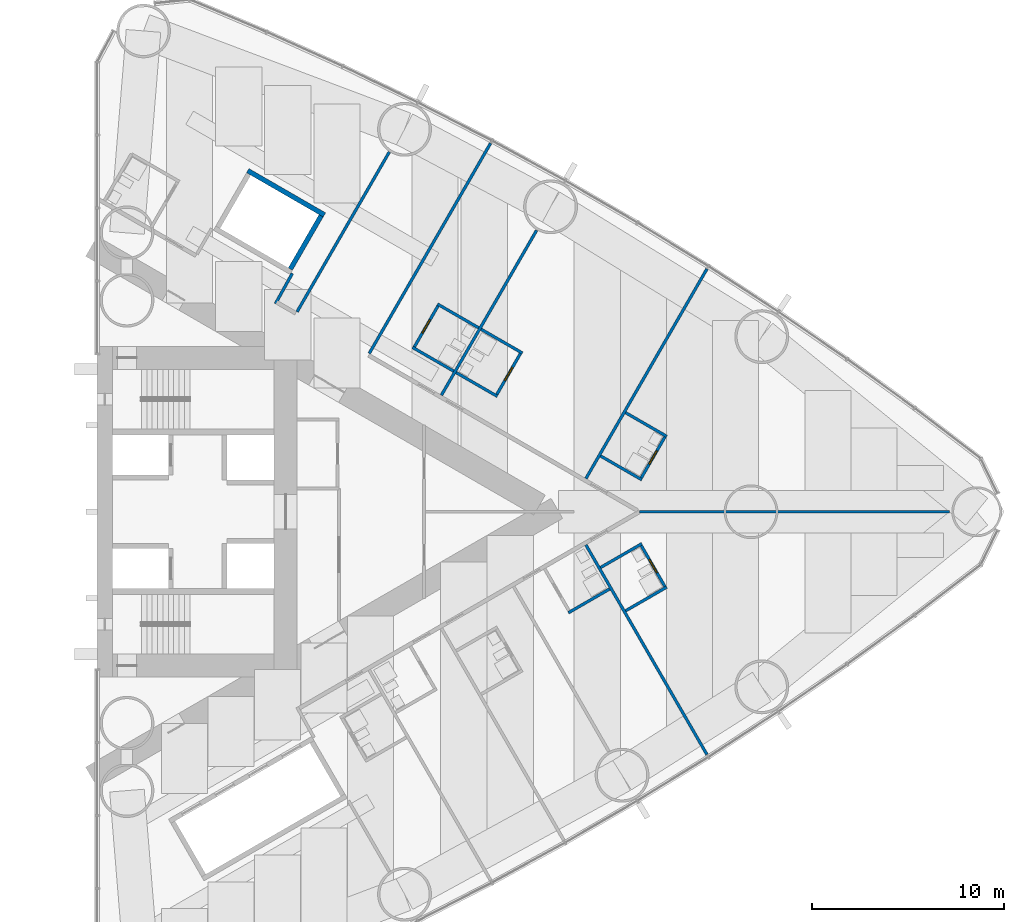
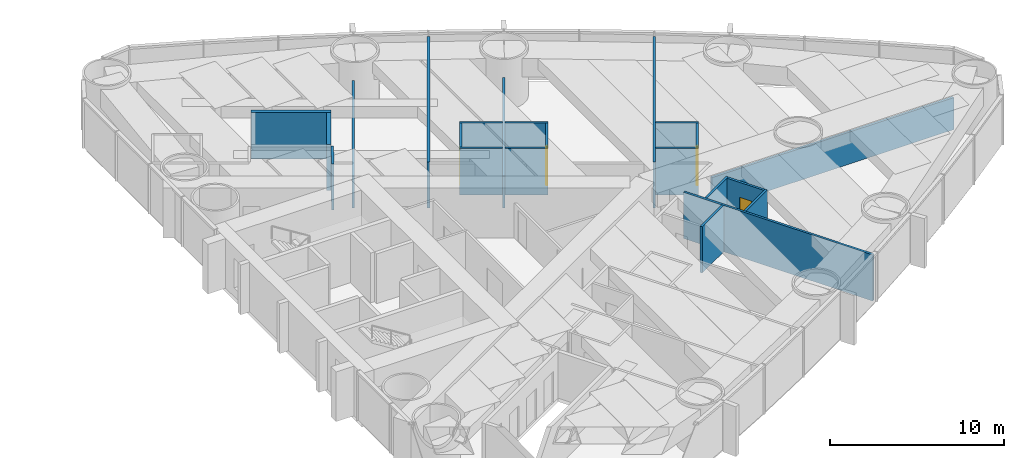
# One storey, part 16 of 19: 22 walls, 4 doors, 4 openings.
"""IFC4 building model written with IfcOpenShell, lengths in metres."""

from ifc_helpers import new_model, si_unit, direction, frame, frame_2d, origin, place, context, subcontext, project, spatial, rectangle, extrude, material, layer, layer_set, type_object, element, fill, save


model = new_model("IFC4")

# Units and contexts
model_context = context("Model", 3, precision=1e-05, world=origin(), true_north=direction((0.0, 1.0)))
body_context = subcontext(model_context, "Body", "Model", "MODEL_VIEW")
ifc_project = project(units=[si_unit("LENGTHUNIT", "METRE"), si_unit("AREAUNIT", "SQUARE_METRE"), si_unit("VOLUMEUNIT", "CUBIC_METRE"), si_unit("PLANEANGLEUNIT", "RADIAN"), si_unit("MASSUNIT", "GRAM", prefix="KILO")], contexts=[model_context])

# Site, building, storey
site_placement = place(None, origin())
site = spatial("IfcSite", under=ifc_project, at=site_placement, CompositionType="ELEMENT")
building_placement = place(site_placement, origin())
building = spatial("IfcBuilding", under=site, at=building_placement, Name="Lancet Gate Hotel", CompositionType="ELEMENT")
storey_placement = place(building_placement, frame((0.0, 0.0, 67.0)))
storey = spatial("IfcBuildingStorey", under=building, at=storey_placement, Name="L17", CompositionType="ELEMENT", Elevation=67.0)

# Walls
ifc_material_1 = material(Name="Moisture resistant board partition")
ifc_layer_1 = layer(ifc_material_1, 0.14990234375)
ifc_layer_set_1 = layer_set([ifc_layer_1], Name="Bathroom wall 150")
wall_type_1 = type_object("IfcWallType", Name="Bathroom wall 150", PredefinedType="PARTITIONING", material=ifc_layer_set_1)
for number, where, z_axis, x_axis, name in (
    (1, (52.00634765625, -5.25146484375, 0.0), (0.0, 0.0, 1.0), (0.866006523861, 0.500032699561, 0.0), "T2 bathroom wall 150 L17"),
    (2, (54.979736328125, -5.1513671875, 0.0), (0.0, 0.0, 1.0), (0.86604923931, 0.499958713387, 0.0), "T2 bathroom wall 150 L17"),
):
    element("IfcWall", number, at=place(storey_placement, frame(where, z_axis=z_axis, x_axis=x_axis)), inside=storey, type_object=wall_type_1, Name=name, PredefinedType="PARTITIONING", context=body_context, shape_type="SweptSolid", body=[
        extrude(rectangle(XDim=2.474853515625, YDim=0.14990234375, at=frame_2d((1.2373046875, 0.0))), origin(), (0.0, 0.0, 1.0), 3.25),
    ])

# Wall, opening, door
wall_1_placement = place(storey_placement, frame((55.758056640625, -1.69970703125, 0.0), z_axis=(0.0, 0.0, 1.0), x_axis=(0.500006934395, -0.866021400173, 0.0)))
wall_1 = element("IfcWall", 3, at=wall_1_placement, inside=storey, type_object=wall_type_1, Name="T2 bathroom wall 150 L17", PredefinedType="PARTITIONING", context=body_context, shape_type="SweptSolid", body=[
    extrude(rectangle(XDim=2.60009765625, YDim=0.14990234375, at=frame_2d((1.300048828125, 0.0))), origin(), (0.0, 0.0, 1.0), 3.25),
])
opening_1_placement = place(wall_1_placement, frame((0.89990234375, 0.0, 0.0)))
opening_1 = element("IfcOpeningElement", 4, at=opening_1_placement, cuts=wall_1, Name="Opening 1757-B", PredefinedType="OPENING", context=body_context, shape_type="SweptSolid", body=[
    extrude(rectangle(XDim=0.800048828125, YDim=2.199951171875, at=frame_2d((0.39990234375, 1.10009765625))), frame((0.0, 0.0849609375, 0.0), z_axis=(0.0, -1.0, 0.0), x_axis=(1.0, 0.0, 0.0)), (0.0, 0.0, 1.0), 0.169921875),
])
ifc_material_2 = material(Name="Timber door set", Category="wood")
door_type = type_object("IfcDoorType", Name="Bathroom door 800", OperationType="SINGLE_SWING_RIGHT", PredefinedType="DOOR", material=ifc_material_2)
door_1_placement = place(opening_1_placement, origin())
door_1 = element("IfcDoor", 5, at=door_1_placement, inside=storey, type_object=door_type, Name="1757-B", OperationType="SINGLE_SWING_RIGHT", OverallHeight=2.199951171875, OverallWidth=0.800048828125, PredefinedType="DOOR", context=body_context, shape_type="SweptSolid", body=[
    extrude(rectangle(XDim=0.800048828125, YDim=2.199951171875, at=frame_2d((0.39990234375, 1.10009765625))), frame((0.0, 0.02490234375, 0.0), z_axis=(0.0, -1.0, 0.0), x_axis=(1.0, 0.0, 0.0)), (0.0, 0.0, 1.0), 0.050048828125),
])
fill(opening_1, door_1)

# Walls
for number, where, z_axis, x_axis, name in (
    (6, (53.6796875, -2.89990234375, 0.0), (0.0, 0.0, 1.0), (0.866006523861, 0.500032699561, 0.0), "T2 bathroom wall 150 L17"),
    (7, (54.979736328125, 5.1513671875, 0.0), (0.0, 0.0, 1.0), (0.86604923931, -0.499958713387, 0.0), "T2 bathroom wall 150 L17"),
):
    element("IfcWall", number, at=place(storey_placement, frame(where, z_axis=z_axis, x_axis=x_axis)), inside=storey, type_object=wall_type_1, Name=name, PredefinedType="PARTITIONING", context=body_context, shape_type="SweptSolid", body=[
        extrude(rectangle(XDim=2.474853515625, YDim=0.14990234375, at=frame_2d((1.2373046875, 0.0))), origin(), (0.0, 0.0, 1.0), 3.25),
    ])

# Wall, opening, door
wall_2_placement = place(storey_placement, frame((55.758056640625, 1.69970703125, 0.0), z_axis=(0.0, 0.0, 1.0), x_axis=(0.500006934395, 0.866021400173, 0.0)))
wall_2 = element("IfcWall", 8, at=wall_2_placement, inside=storey, type_object=wall_type_1, Name="T2 bathroom wall 150 L17", PredefinedType="PARTITIONING", context=body_context, shape_type="SweptSolid", body=[
    extrude(rectangle(XDim=2.60009765625, YDim=0.14990234375, at=frame_2d((1.300048828125, 0.0))), origin(), (0.0, 0.0, 1.0), 3.25),
])
opening_2_placement = place(wall_2_placement, frame((0.89990234375, 0.0, 0.0)))
opening_2 = element("IfcOpeningElement", 9, at=opening_2_placement, cuts=wall_2, Name="Opening 1758-B", PredefinedType="OPENING", context=body_context, shape_type="SweptSolid", body=[
    extrude(rectangle(XDim=0.800048828125, YDim=2.199951171875, at=frame_2d((0.39990234375, 1.10009765625))), frame((0.0, 0.0849609375, 0.0), z_axis=(0.0, -1.0, 0.0), x_axis=(1.0, 0.0, 0.0)), (0.0, 0.0, 1.0), 0.169921875),
])
door_2_placement = place(opening_2_placement, origin())
door_2 = element("IfcDoor", 10, at=door_2_placement, inside=storey, type_object=door_type, Name="1758-B", OperationType="SINGLE_SWING_RIGHT", OverallHeight=2.199951171875, OverallWidth=0.800048828125, PredefinedType="DOOR", context=body_context, shape_type="SweptSolid", body=[
    extrude(rectangle(XDim=0.800048828125, YDim=2.199951171875, at=frame_2d((0.39990234375, 1.10009765625))), frame((0.0, 0.02490234375, 0.0), z_axis=(0.0, -1.0, 0.0), x_axis=(1.0, 0.0, 0.0)), (0.0, 0.0, 1.0), 0.050048828125),
])
fill(opening_2, door_2)

# Walls
wall_3_placement = place(storey_placement, frame((53.6796875, 2.89990234375, 0.0), z_axis=(0.0, 0.0, 1.0), x_axis=(0.866006523861, -0.500032699561, 0.0)))
element("IfcWall", 11, at=wall_3_placement, inside=storey, type_object=wall_type_1, Name="T2 bathroom wall 150 L17", PredefinedType="PARTITIONING", context=body_context, shape_type="SweptSolid", body=[
    extrude(rectangle(XDim=2.474853515625, YDim=0.14990234375, at=frame_2d((1.2373046875, 0.0))), origin(), (0.0, 0.0, 1.0), 3.25),
])
wall_4_placement = place(storey_placement, frame((47.4677734375, 9.48828125, 0.0), z_axis=(0.0, 0.0, 1.0), x_axis=(0.866073894602, -0.499916002032, 0.0)))
element("IfcWall", 12, at=wall_4_placement, inside=storey, type_object=wall_type_1, Name="T2 bathroom wall 150 L17", PredefinedType="PARTITIONING", context=body_context, shape_type="SweptSolid", body=[
    extrude(rectangle(XDim=2.47509765625, YDim=0.14990234375, at=frame_2d((1.237548828125, 0.0))), origin(), (0.0, 0.0, 1.0), 3.25),
])

# Wall, opening, door
wall_5_placement = place(storey_placement, frame((48.246337890625, 6.03662109375, 0.0), z_axis=(0.0, 0.0, 1.0), x_axis=(0.500006934395, 0.866021400173, 0.0)))
wall_5 = element("IfcWall", 13, at=wall_5_placement, inside=storey, type_object=wall_type_1, Name="T2 bathroom wall 150 L17", PredefinedType="PARTITIONING", context=body_context, shape_type="SweptSolid", body=[
    extrude(rectangle(XDim=2.60009765625, YDim=0.14990234375, at=frame_2d((1.300048828125, 0.0))), origin(), (0.0, 0.0, 1.0), 3.25),
])
opening_3_placement = place(wall_5_placement, frame((0.89990234375, 0.0, 0.0)))
opening_3 = element("IfcOpeningElement", 14, at=opening_3_placement, cuts=wall_5, Name="Opening 1759-B", PredefinedType="OPENING", context=body_context, shape_type="SweptSolid", body=[
    extrude(rectangle(XDim=0.800048828125, YDim=2.199951171875, at=frame_2d((0.39990234375, 1.10009765625))), frame((0.0, 0.0849609375, 0.0), z_axis=(0.0, -1.0, 0.0), x_axis=(1.0, 0.0, 0.0)), (0.0, 0.0, 1.0), 0.169921875),
])
door_3_placement = place(opening_3_placement, origin())
door_3 = element("IfcDoor", 15, at=door_3_placement, inside=storey, type_object=door_type, Name="1759-B", OperationType="SINGLE_SWING_RIGHT", OverallHeight=2.199951171875, OverallWidth=0.800048828125, PredefinedType="DOOR", context=body_context, shape_type="SweptSolid", body=[
    extrude(rectangle(XDim=0.800048828125, YDim=2.199951171875, at=frame_2d((0.39990234375, 1.10009765625))), frame((0.0, 0.02490234375, 0.0), z_axis=(0.0, -1.0, 0.0), x_axis=(1.0, 0.0, 0.0)), (0.0, 0.0, 1.0), 0.050048828125),
])
fill(opening_3, door_3)

# Walls
for number, where, z_axis, x_axis, name in (
    (16, (46.16796875, 7.23681640625, 0.0), (0.0, 0.0, 1.0), (0.866006523861, -0.500032699561, 0.0), "T2 bathroom wall 150 L17"),
    (17, (45.194580078125, 10.80078125, 0.0), (0.0, 0.0, 1.0), (0.86604923931, -0.499958713387, 0.0), "T2 bathroom wall 150 L17"),
):
    element("IfcWall", number, at=place(storey_placement, frame(where, z_axis=z_axis, x_axis=x_axis)), inside=storey, type_object=wall_type_1, Name=name, PredefinedType="PARTITIONING", context=body_context, shape_type="SweptSolid", body=[
        extrude(rectangle(XDim=2.474853515625, YDim=0.14990234375, at=frame_2d((1.2373046875, 0.0))), origin(), (0.0, 0.0, 1.0), 3.25),
    ])

# Wall, opening, door
wall_6_placement = place(storey_placement, frame((43.95947265625, 8.51171875, 0.0), z_axis=(0.0, 0.0, 1.0), x_axis=(0.500006934395, 0.866021400173, 0.0)))
wall_6 = element("IfcWall", 18, at=wall_6_placement, inside=storey, type_object=wall_type_1, Name="T2 bathroom wall 150 L17", PredefinedType="PARTITIONING", context=body_context, shape_type="SweptSolid", body=[
    extrude(rectangle(XDim=2.60009765625, YDim=0.14990234375, at=frame_2d((1.300048828125, 0.0))), origin(), (0.0, 0.0, 1.0), 3.25),
])
opening_4_placement = place(wall_6_placement, frame((0.89990234375, 0.0, 0.0)))
opening_4 = element("IfcOpeningElement", 19, at=opening_4_placement, cuts=wall_6, Name="Opening 1761-B", PredefinedType="OPENING", context=body_context, shape_type="SweptSolid", body=[
    extrude(rectangle(XDim=0.800048828125, YDim=2.199951171875, at=frame_2d((0.39990234375, 1.10009765625))), frame((0.0, 0.0849609375, 0.0), z_axis=(0.0, -1.0, 0.0), x_axis=(1.0, 0.0, 0.0)), (0.0, 0.0, 1.0), 0.169921875),
])
door_4_placement = place(opening_4_placement, origin())
door_4 = element("IfcDoor", 20, at=door_4_placement, inside=storey, type_object=door_type, Name="1761-B", OperationType="SINGLE_SWING_RIGHT", OverallHeight=2.199951171875, OverallWidth=0.800048828125, PredefinedType="DOOR", context=body_context, shape_type="SweptSolid", body=[
    extrude(rectangle(XDim=0.800048828125, YDim=2.199951171875, at=frame_2d((0.39990234375, 1.10009765625))), frame((0.0, 0.02490234375, 0.0), z_axis=(0.0, -1.0, 0.0), x_axis=(1.0, 0.0, 0.0)), (0.0, 0.0, 1.0), 0.050048828125),
])
fill(opening_4, door_4)

# Walls
wall_7_placement = place(storey_placement, frame((43.89453125, 8.54931640625, 0.0), z_axis=(0.0, 0.0, 1.0), x_axis=(0.866031185235, -0.4999899861, 0.0)))
element("IfcWall", 21, at=wall_7_placement, inside=storey, type_object=wall_type_1, Name="T2 bathroom wall 150 L17", PredefinedType="PARTITIONING", context=body_context, shape_type="SweptSolid", body=[
    extrude(rectangle(XDim=2.47509765625, YDim=0.14990234375, at=frame_2d((1.237548828125, 0.0))), origin(), (0.0, 0.0, 1.0), 3.25),
])
ifc_material_3 = material(Name="Gypsum board partition")
ifc_layer_2 = layer(ifc_material_3, 0.25)
ifc_layer_set_2 = layer_set([ifc_layer_2], Name="Lift shaft partition 250")
wall_type_2 = type_object("IfcWallType", Name="Lift shaft partition 250", PredefinedType="PARTITIONING", material=ifc_layer_set_2)
wall_8_placement = place(storey_placement, frame((35.33349609375, 17.73583984375, 0.0), z_axis=(0.0, 0.0, 1.0), x_axis=(0.866043305498, -0.49996899204, 0.0)))
element("IfcWall", 22, at=wall_8_placement, inside=storey, type_object=wall_type_2, Name="T2 lift shaft wall EX L17", PredefinedType="PARTITIONING", context=body_context, shape_type="SweptSolid", body=[
    extrude(rectangle(XDim=4.600341796875, YDim=0.25, at=frame_2d((2.30029296875, 0.0))), origin(), (0.0, 0.0, 1.0), 3.25),
])
wall_9_placement = place(storey_placement, frame((37.546630859375, 12.617919921875, 0.0), z_axis=(0.0, 0.0, 1.0), x_axis=(0.499929347863, 0.866066190972, 0.0)))
element("IfcWall", 23, at=wall_9_placement, inside=storey, type_object=wall_type_2, Name="T2 lift shaft wall EX L17", PredefinedType="PARTITIONING", context=body_context, shape_type="SweptSolid", body=[
    extrude(rectangle(XDim=3.20068359375, YDim=0.25, at=frame_2d((1.600341796875, 0.0))), origin(), (0.0, 0.0, 1.0), 3.25),
])
ifc_material_4 = material(Name="Gypsum board partition")
ifc_layer_3 = layer(ifc_material_4, 0.14990234375)
ifc_layer_set_3 = layer_set([ifc_layer_3], Name="Party wall 150")
wall_type_3 = type_object("IfcWallType", Name="Party wall 150", PredefinedType="PARTITIONING", material=ifc_layer_set_3)
wall_10_placement = place(storey_placement, frame((52.914794921875, -1.724853515625, 0.0), z_axis=(0.0, 0.0, 1.0), x_axis=(0.499997163113, -0.866027041656, 0.0)))
element("IfcWall", 24, at=wall_10_placement, inside=storey, type_object=wall_type_3, Name="T2 party wall 150 L17", PredefinedType="PARTITIONING", context=body_context, shape_type="SweptSolid", body=[
    extrude(rectangle(XDim=12.5908203125, YDim=0.14990234375, at=frame_2d((6.29541015625, 0.0))), origin(), (0.0, 0.0, 1.0), 3.25),
])
wall_11_placement = place(storey_placement, frame((37.895263671875, 10.396484375, 0.0), z_axis=(0.0, 0.0, 1.0), x_axis=(0.499995616528, 0.866027934568, 0.0)))
element("IfcWall", 25, at=wall_11_placement, inside=storey, type_object=wall_type_3, Name="T2 party wall 150 L17", PredefinedType="PARTITIONING", context=body_context, shape_type="SweptSolid", body=[
    extrude(rectangle(XDim=9.59326171875, YDim=0.14990234375, at=frame_2d((4.796630859375, 0.0))), origin(), (0.0, 0.0, 1.0), 2.25),
])
wall_12_placement = place(storey_placement, frame((41.6474609375, 8.22998046875, 0.0), z_axis=(0.0, 0.0, 1.0), x_axis=(0.49998590462, 0.866033541603, 0.0)))
element("IfcWall", 26, at=wall_12_placement, inside=storey, type_object=wall_type_3, Name="T2 party wall 150 L17", PredefinedType="PARTITIONING", context=body_context, shape_type="SweptSolid", body=[
    extrude(rectangle(XDim=12.620849609375, YDim=0.14990234375, at=frame_2d((6.310546875, 0.0))), origin(), (0.0, 0.0, 1.0), 3.25),
])
wall_13_placement = place(storey_placement, frame((45.40283203125, 6.061767578125, 0.0), z_axis=(0.0, 0.0, 1.0), x_axis=(0.500013434677, 0.866017647131, 0.0)))
element("IfcWall", 27, at=wall_13_placement, inside=storey, type_object=wall_type_3, Name="T2 party wall 150 L17", PredefinedType="PARTITIONING", context=body_context, shape_type="SweptSolid", body=[
    extrude(rectangle(XDim=9.901611328125, YDim=0.14990234375, at=frame_2d((4.95068359375, 0.0))), origin(), (0.0, 0.0, 1.0), 2.25),
])
wall_14_placement = place(storey_placement, frame((52.914794921875, 1.724853515625, 0.0), z_axis=(0.0, 0.0, 1.0), x_axis=(0.499997163113, 0.866027041656, 0.0)))
element("IfcWall", 28, at=wall_14_placement, inside=storey, type_object=wall_type_3, Name="T2 party wall 150 L17", PredefinedType="PARTITIONING", context=body_context, shape_type="SweptSolid", body=[
    extrude(rectangle(XDim=12.5908203125, YDim=0.14990234375, at=frame_2d((6.29541015625, 0.0))), origin(), (0.0, 0.0, 1.0), 3.25),
])
wall_15_placement = place(storey_placement, frame((55.7021484375, 0.0, 0.0), z_axis=(0.0, 0.0, 1.0), x_axis=(1.0, 0.0, 0.0)))
element("IfcWall", 29, at=wall_15_placement, inside=storey, type_object=wall_type_3, Name="T2 party wall 150 L17", PredefinedType="PARTITIONING", context=body_context, shape_type="SweptSolid", body=[
    extrude(rectangle(XDim=16.116943359375, YDim=0.14990234375, at=frame_2d((8.05859375, 0.0))), origin(), (0.0, 0.0, 1.0), 2.25),
])
ifc_material_5 = material(Name="Gypsum board partition")
ifc_layer_4 = layer(ifc_material_5, 0.14990234375)
ifc_layer_set_4 = layer_set([ifc_layer_4], Name="Service room wall 150")
wall_type_4 = type_object("IfcWallType", Name="Service room wall 150", PredefinedType="PARTITIONING", material=ifc_layer_set_4)
wall_16_placement = place(storey_placement, frame((36.77099609375, 10.814453125, 0.0), z_axis=(0.0, 0.0, 1.0), x_axis=(0.485585508183, 0.874189175317, 0.0)))
element("IfcWall", 30, at=wall_16_placement, inside=storey, type_object=wall_type_4, Name="T2 service room wall 150 L17", PredefinedType="PARTITIONING", context=body_context, shape_type="SweptSolid", body=[
    extrude(rectangle(XDim=1.804931640625, YDim=0.14990234375, at=frame_2d((0.90234375, 0.0))), origin(), (0.0, 0.0, 1.0), 3.25),
])

save(model, "model.ifc")
